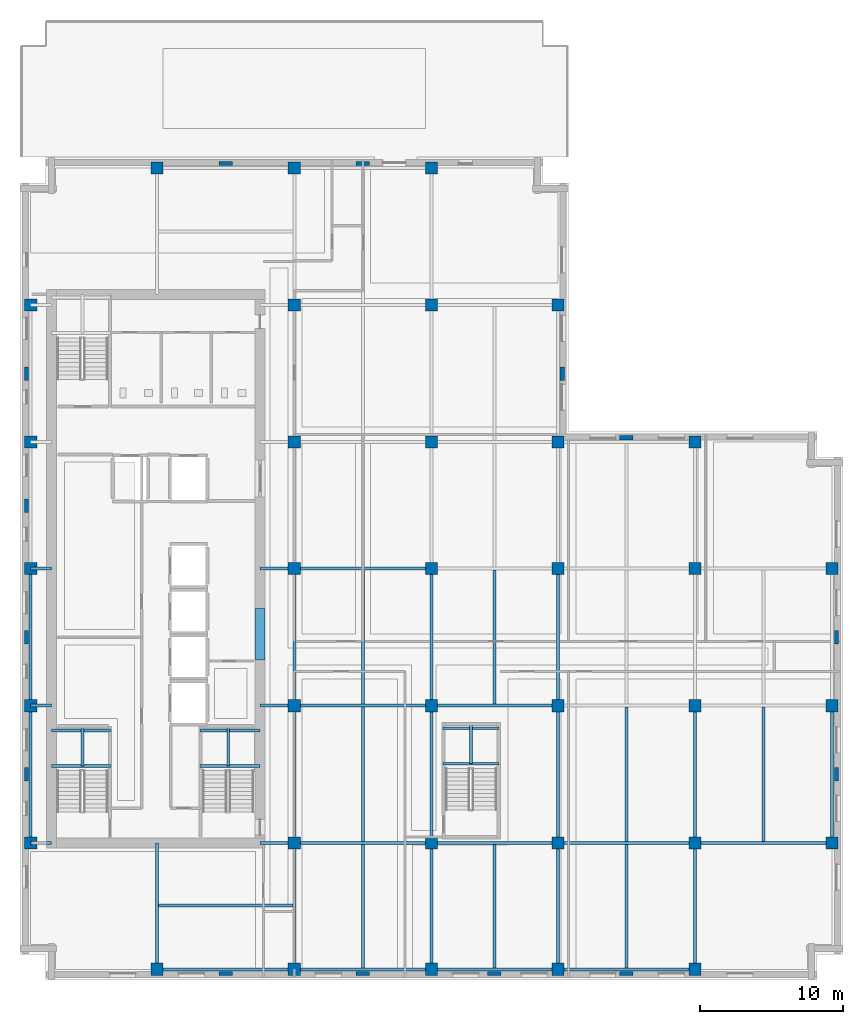
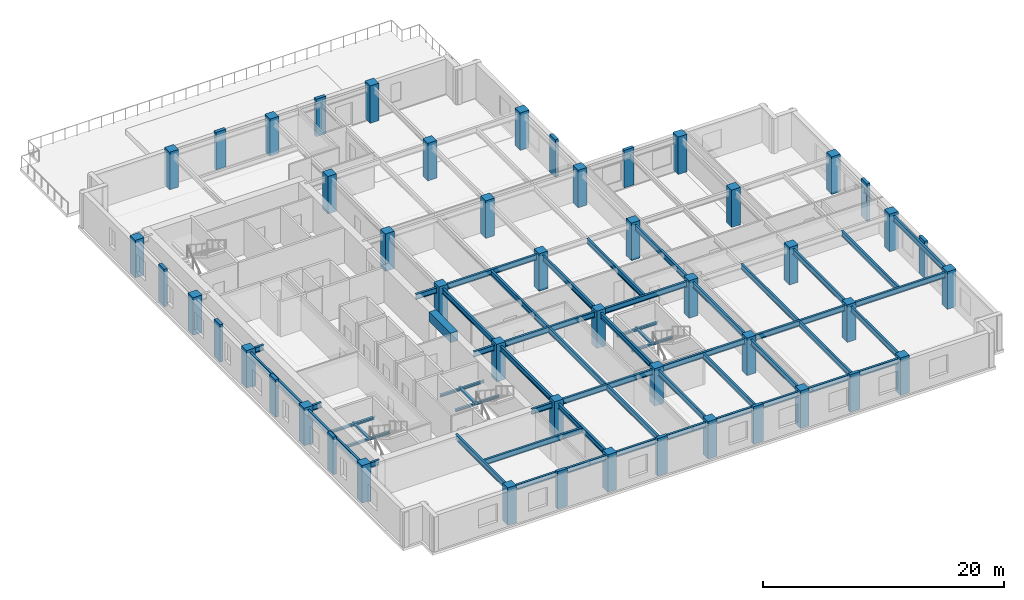
# One storey, part 1 of 12: 51 beams, 49 columns.
"""IFC4 building model written with IfcOpenShell, lengths in metres."""

from ifc_helpers import new_model, si_unit, direction, frame, origin, origin_2d, place, context, subcontext, project, spatial, rectangle, i_section, extrude, material, material_profile, profile_set, type_object, element, save


model = new_model("IFC4")

# Units and contexts
model_context = context("Model", 3, precision=1e-05, world=origin(), true_north=direction((0.0, 1.0)))
body_context = subcontext(model_context, "Body", "Model", "MODEL_VIEW")
ifc_project = project(units=[si_unit("LENGTHUNIT", "METRE"), si_unit("AREAUNIT", "SQUARE_METRE"), si_unit("VOLUMEUNIT", "CUBIC_METRE"), si_unit("PLANEANGLEUNIT", "RADIAN"), si_unit("MASSUNIT", "GRAM", prefix="KILO")], contexts=[model_context])

# Site, building, storey
site_placement = place(None, origin())
site = spatial("IfcSite", under=ifc_project, at=site_placement, CompositionType="ELEMENT")
building_placement = place(site_placement, origin())
building = spatial("IfcBuilding", under=site, at=building_placement, Name="Norrvale University Quadrangle", CompositionType="ELEMENT")
storey_placement = place(building_placement, frame((0.0, 0.0, 199.0)))
storey = spatial("IfcBuildingStorey", under=building, at=storey_placement, Name="L50", CompositionType="ELEMENT", Elevation=199.0)

# Columns
ifc_material_1 = material(Name="Red Manganese Brick Concrete C60/75", Category="concrete")
ifc_material_profile_1 = material_profile(ifc_material_1, rectangle(XDim=0.949951171875, YDim=0.300048828125, at=origin_2d()), Name="Red Manganese Brick Concrete C60/75")
ifc_profile_set_1 = profile_set([ifc_material_profile_1], Name="Red Manganese Brick Concrete C60/75")
column_type_1 = type_object("IfcColumnType", Name="Column Brick Pier 950x300", PredefinedType="PILASTER", material=ifc_profile_set_1)
for number, where, z_axis, x_axis, name in (
    (1, (0.449951171875, 14.39990234375, 0.0), (0.0, 0.0, 1.0), (0.0, 1.0, 0.0), "Exterior Brick Facade Pilaster L50-01"),
    (2, (0.449951171875, 24.0, 0.0), (0.0, 0.0, 1.0), (0.0, 1.0, 0.0), "Exterior Brick Facade Pilaster L50-02"),
    (3, (0.449951171875, 33.199951171875, 0.0), (0.0, 0.0, 1.0), (0.0, 1.0, 0.0), "Exterior Brick Facade Pilaster L50-03"),
    (4, (0.449951171875, 42.449951171875, 0.0), (0.0, 0.0, 1.0), (0.0, 1.0, 0.0), "Exterior Brick Facade Pilaster L50-04"),
    (5, (14.39990234375, 0.449951171875, 0.0), (0.0, 0.0, 1.0), (1.0, 0.0, 0.0), "Exterior Brick Facade Pilaster L50-05"),
    (6, (24.0, 0.449951171875, 0.0), (0.0, 0.0, 1.0), (1.0, 0.0, 0.0), "Exterior Brick Facade Pilaster L50-06"),
    (7, (33.199951171875, 0.449951171875, 0.0), (0.0, 0.0, 1.0), (1.0, 0.0, 0.0), "Exterior Brick Facade Pilaster L50-07"),
    (8, (42.449951171875, 0.449951171875, 0.0), (0.0, 0.0, 1.0), (1.0, 0.0, 0.0), "Exterior Brick Facade Pilaster L50-08"),
    (9, (57.14990234375, 14.39990234375, 0.0), (0.0, 0.0, 1.0), (0.0, 1.0, 0.0), "Exterior Brick Facade Pilaster L50-09"),
    (10, (57.14990234375, 24.0, 0.0), (0.0, 0.0, 1.0), (0.0, 1.0, 0.0), "Exterior Brick Facade Pilaster L50-10"),
    (11, (14.39990234375, 57.14990234375, 0.0), (0.0, 0.0, 1.0), (1.0, 0.0, 0.0), "Exterior Brick Facade Pilaster L50-11"),
    (12, (24.0, 57.14990234375, 0.0), (0.0, 0.0, 1.0), (1.0, 0.0, 0.0), "Exterior Brick Facade Pilaster L50-12"),
    (13, (37.949951171875, 42.449951171875, 0.0), (0.0, 0.0, 1.0), (0.0, 1.0, 0.0), "Exterior Brick Facade Pilaster L50-13"),
    (14, (42.449951171875, 37.949951171875, 0.0), (0.0, 0.0, 1.0), (1.0, 0.0, 0.0), "Exterior Brick Facade Pilaster L50-14"),
):
    element("IfcColumn", number, at=place(storey_placement, frame(where, z_axis=z_axis, x_axis=x_axis)), inside=storey, type_object=column_type_1, Name=name, PredefinedType="PILASTER", context=body_context, shape_type="SweptSolid", body=[
        extrude(rectangle(XDim=0.949951171875, YDim=0.300048828125, at=origin_2d()), origin(), (0.0, 0.0, 1.0), 3.800048828125),
    ])
ifc_material_2 = material(Name="Concrete C60/75", Category="concrete")
ifc_material_profile_2 = material_profile(ifc_material_2, rectangle(XDim=0.85009765625, YDim=0.85009765625, at=origin_2d()), Name="Concrete C60/75")
ifc_profile_set_2 = profile_set([ifc_material_profile_2], Name="Concrete C60/75")
column_type_2 = type_object("IfcColumnType", Name="Column Tower Z3 850x850", PredefinedType="COLUMN", material=ifc_profile_set_2)
for number, where, z_axis, x_axis, name in (
    (15, (0.75, 9.60009765625, 0.0), (0.0, 0.0, 1.0), (1.0, 0.0, 0.0), "Tower Column L50-T01"),
    (16, (0.75, 19.199951171875, 0.0), (0.0, 0.0, 1.0), (1.0, 0.0, 0.0), "Tower Column L50-T02"),
    (17, (0.75, 28.800048828125, 0.0), (0.0, 0.0, 1.0), (1.0, 0.0, 0.0), "Tower Column L50-T03"),
    (18, (0.75, 37.64990234375, 0.0), (0.0, 0.0, 1.0), (1.0, 0.0, 0.0), "Tower Column L50-T04"),
    (19, (0.75, 47.25, 0.0), (0.0, 0.0, 1.0), (1.0, 0.0, 0.0), "Tower Column L50-T05"),
    (20, (9.60009765625, 0.75, 0.0), (0.0, 0.0, 1.0), (1.0, 0.0, 0.0), "Tower Column L50-T06"),
    (21, (9.60009765625, 56.85009765625, 0.0), (0.0, 0.0, 1.0), (1.0, 0.0, 0.0), "Tower Column L50-T07"),
    (22, (19.199951171875, 0.75, 0.0), (0.0, 0.0, 1.0), (1.0, 0.0, 0.0), "Tower Column L50-T08"),
    (23, (19.199951171875, 9.60009765625, 0.0), (0.0, 0.0, 1.0), (1.0, 0.0, 0.0), "Tower Column L50-T09"),
    (24, (19.199951171875, 19.199951171875, 0.0), (0.0, 0.0, 1.0), (1.0, 0.0, 0.0), "Tower Column L50-T10"),
    (25, (19.199951171875, 28.800048828125, 0.0), (0.0, 0.0, 1.0), (1.0, 0.0, 0.0), "Tower Column L50-T11"),
    (26, (19.199951171875, 37.64990234375, 0.0), (0.0, 0.0, 1.0), (1.0, 0.0, 0.0), "Tower Column L50-T12"),
    (27, (19.199951171875, 47.25, 0.0), (0.0, 0.0, 1.0), (1.0, 0.0, 0.0), "Tower Column L50-T13"),
    (28, (19.199951171875, 56.85009765625, 0.0), (0.0, 0.0, 1.0), (1.0, 0.0, 0.0), "Tower Column L50-T14"),
    (29, (28.800048828125, 0.75, 0.0), (0.0, 0.0, 1.0), (1.0, 0.0, 0.0), "Tower Column L50-T15"),
    (30, (28.800048828125, 9.60009765625, 0.0), (0.0, 0.0, 1.0), (1.0, 0.0, 0.0), "Tower Column L50-T16"),
    (31, (28.800048828125, 19.199951171875, 0.0), (0.0, 0.0, 1.0), (1.0, 0.0, 0.0), "Tower Column L50-T17"),
    (32, (28.800048828125, 28.800048828125, 0.0), (0.0, 0.0, 1.0), (1.0, 0.0, 0.0), "Tower Column L50-T18"),
    (33, (28.800048828125, 37.64990234375, 0.0), (0.0, 0.0, 1.0), (1.0, 0.0, 0.0), "Tower Column L50-T19"),
    (34, (28.800048828125, 47.25, 0.0), (0.0, 0.0, 1.0), (1.0, 0.0, 0.0), "Tower Column L50-T20"),
    (35, (28.800048828125, 56.85009765625, 0.0), (0.0, 0.0, 1.0), (1.0, 0.0, 0.0), "Tower Column L50-T21"),
    (36, (37.64990234375, 0.75, 0.0), (0.0, 0.0, 1.0), (1.0, 0.0, 0.0), "Tower Column L50-T22"),
    (37, (37.64990234375, 9.60009765625, 0.0), (0.0, 0.0, 1.0), (1.0, 0.0, 0.0), "Tower Column L50-T23"),
    (38, (37.64990234375, 19.199951171875, 0.0), (0.0, 0.0, 1.0), (1.0, 0.0, 0.0), "Tower Column L50-T24"),
    (39, (37.64990234375, 28.800048828125, 0.0), (0.0, 0.0, 1.0), (1.0, 0.0, 0.0), "Tower Column L50-T25"),
    (40, (37.64990234375, 37.64990234375, 0.0), (0.0, 0.0, 1.0), (1.0, 0.0, 0.0), "Tower Column L50-T26"),
    (41, (37.64990234375, 47.25, 0.0), (0.0, 0.0, 1.0), (1.0, 0.0, 0.0), "Tower Column L50-T27"),
    (42, (47.25, 0.75, 0.0), (0.0, 0.0, 1.0), (1.0, 0.0, 0.0), "Tower Column L50-T28"),
    (43, (47.25, 9.60009765625, 0.0), (0.0, 0.0, 1.0), (1.0, 0.0, 0.0), "Tower Column L50-T29"),
    (44, (47.25, 19.199951171875, 0.0), (0.0, 0.0, 1.0), (1.0, 0.0, 0.0), "Tower Column L50-T30"),
    (45, (47.25, 28.800048828125, 0.0), (0.0, 0.0, 1.0), (1.0, 0.0, 0.0), "Tower Column L50-T31"),
    (46, (47.25, 37.64990234375, 0.0), (0.0, 0.0, 1.0), (1.0, 0.0, 0.0), "Tower Column L50-T32"),
    (47, (56.85009765625, 9.60009765625, 0.0), (0.0, 0.0, 1.0), (1.0, 0.0, 0.0), "Tower Column L50-T33"),
    (48, (56.85009765625, 19.199951171875, 0.0), (0.0, 0.0, 1.0), (1.0, 0.0, 0.0), "Tower Column L50-T34"),
    (49, (56.85009765625, 28.800048828125, 0.0), (0.0, 0.0, 1.0), (1.0, 0.0, 0.0), "Tower Column L50-T35"),
):
    element("IfcColumn", number, at=place(storey_placement, frame(where, z_axis=z_axis, x_axis=x_axis)), inside=storey, type_object=column_type_2, Name=name, PredefinedType="COLUMN", context=body_context, shape_type="SweptSolid", body=[
        extrude(rectangle(XDim=0.85009765625, YDim=0.85009765625, at=origin_2d()), origin(), (0.0, 0.0, 1.0), 3.800048828125),
    ])

# Beams
ifc_material_3 = material(Name="Concrete C80/95", Category="concrete")
ifc_material_profile_3 = material_profile(ifc_material_3, rectangle(XDim=0.699951171875, YDim=0.949951171875, at=origin_2d()), Name="Concrete C80/95")
ifc_profile_set_3 = profile_set([ifc_material_profile_3], Name="Concrete C80/95")
beam_type_1 = type_object("IfcBeamType", Name="Beam Core Link 700x950", PredefinedType="LINTEL", material=ifc_profile_set_3)
beam_1_placement = place(storey_placement, frame((16.800048828125, 22.39990234375, 3.06494140625), z_axis=(0.0, 1.0, 0.0), x_axis=(-1.0, 0.0, 0.0)))
element("IfcBeam", 50, at=beam_1_placement, inside=storey, type_object=beam_type_1, Name="Core Coupling Lintel Beam L50-1", PredefinedType="LINTEL", context=body_context, shape_type="SweptSolid", body=[
    extrude(rectangle(XDim=0.699951171875, YDim=0.949951171875, at=origin_2d()), origin(), (0.0, 0.0, 1.0), 3.60009765625),
])
ifc_material_4 = material(Name="Steel 350W", Category="steel")
ifc_material_profile_4 = material_profile(ifc_material_4, i_section(OverallWidth=0.2119140625, OverallDepth=0.5439453125, WebThickness=0.01318359375, FlangeThickness=0.021240234375, FilletRadius=0.013916015625, at=origin_2d()), Name="Steel 350W")
ifc_profile_set_4 = profile_set([ifc_material_profile_4], Name="Steel 350W")
beam_type_2 = type_object("IfcBeamType", Name="Beam Floor W530x123", PredefinedType="BEAM", material=ifc_profile_set_4)
beam_2_placement = place(storey_placement, frame((9.60009765625, 0.75, 3.26806640625), z_axis=(1.0, 0.0, 0.0), x_axis=(0.0, 1.0, 0.0)))
element("IfcBeam", 51, at=beam_2_placement, inside=storey, type_object=beam_type_2, Name="Beam Floor W530x123 BM-L50-GX001", PredefinedType="BEAM", context=body_context, shape_type="SweptSolid", body=[
    extrude(i_section(OverallWidth=0.2119140625, OverallDepth=0.5439453125, WebThickness=0.01318359375, FlangeThickness=0.021240234375, FilletRadius=0.013916015625, at=origin_2d()), origin(), (0.0, 0.0, 1.0), 9.599853515625),
])
beam_3_placement = place(storey_placement, frame((19.199951171875, 0.75, 3.26806640625), z_axis=(1.0, 0.0, 0.0), x_axis=(0.0, 1.0, 0.0)))
element("IfcBeam", 52, at=beam_3_placement, inside=storey, type_object=beam_type_2, Name="Beam Floor W530x123 BM-L50-GX002", PredefinedType="BEAM", context=body_context, shape_type="SweptSolid", body=[
    extrude(i_section(OverallWidth=0.2119140625, OverallDepth=0.5439453125, WebThickness=0.01318359375, FlangeThickness=0.021240234375, FilletRadius=0.013916015625, at=origin_2d()), origin(), (0.0, 0.0, 1.0), 9.60009765625),
])
beam_4_placement = place(storey_placement, frame((28.800048828125, 0.75, 3.26806640625), z_axis=(1.0, 0.0, 0.0), x_axis=(0.0, 1.0, 0.0)))
element("IfcBeam", 53, at=beam_4_placement, inside=storey, type_object=beam_type_2, Name="Beam Floor W530x123 BM-L50-GX003", PredefinedType="BEAM", context=body_context, shape_type="SweptSolid", body=[
    extrude(i_section(OverallWidth=0.2119140625, OverallDepth=0.5439453125, WebThickness=0.01318359375, FlangeThickness=0.021240234375, FilletRadius=0.013916015625, at=origin_2d()), origin(), (0.0, 0.0, 1.0), 8.849853515625),
])
for number, where, z_axis, x_axis, name in (
    (54, (37.64990234375, 0.75, 3.26806640625), (1.0, 0.0, 0.0), (0.0, 1.0, 0.0), "Beam Floor W530x123 BM-L50-GX004"),
    (55, (19.199951171875, 9.60009765625, 3.26806640625), (1.0, 0.0, 0.0), (0.0, 1.0, 0.0), "Beam Floor W530x123 BM-L50-GX005"),
):
    element("IfcBeam", number, at=place(storey_placement, frame(where, z_axis=z_axis, x_axis=x_axis)), inside=storey, type_object=beam_type_2, Name=name, PredefinedType="BEAM", context=body_context, shape_type="SweptSolid", body=[
        extrude(i_section(OverallWidth=0.2119140625, OverallDepth=0.5439453125, WebThickness=0.01318359375, FlangeThickness=0.021240234375, FilletRadius=0.013916015625, at=origin_2d()), origin(), (0.0, 0.0, 1.0), 9.60009765625),
    ])
beam_5_placement = place(storey_placement, frame((28.800048828125, 9.60009765625, 3.26806640625), z_axis=(1.0, 0.0, 0.0), x_axis=(0.0, 1.0, 0.0)))
element("IfcBeam", 56, at=beam_5_placement, inside=storey, type_object=beam_type_2, Name="Beam Floor W530x123 BM-L50-GX006", PredefinedType="BEAM", context=body_context, shape_type="SweptSolid", body=[
    extrude(i_section(OverallWidth=0.2119140625, OverallDepth=0.5439453125, WebThickness=0.01318359375, FlangeThickness=0.021240234375, FilletRadius=0.013916015625, at=origin_2d()), origin(), (0.0, 0.0, 1.0), 8.849853515625),
])
for number, where, z_axis, x_axis, name in (
    (57, (37.64990234375, 9.60009765625, 3.26806640625), (1.0, 0.0, 0.0), (0.0, 1.0, 0.0), "Beam Floor W530x123 BM-L50-GX007"),
    (58, (47.25, 9.60009765625, 3.26806640625), (1.0, 0.0, 0.0), (0.0, 1.0, 0.0), "Beam Floor W530x123 BM-L50-GX008"),
    (59, (19.199951171875, 19.199951171875, 3.26806640625), (1.0, 0.0, 0.0), (0.0, 1.0, 0.0), "Beam Floor W530x123 BM-L50-GX009"),
):
    element("IfcBeam", number, at=place(storey_placement, frame(where, z_axis=z_axis, x_axis=x_axis)), inside=storey, type_object=beam_type_2, Name=name, PredefinedType="BEAM", context=body_context, shape_type="SweptSolid", body=[
        extrude(i_section(OverallWidth=0.2119140625, OverallDepth=0.5439453125, WebThickness=0.01318359375, FlangeThickness=0.021240234375, FilletRadius=0.013916015625, at=origin_2d()), origin(), (0.0, 0.0, 1.0), 9.60009765625),
    ])
beam_6_placement = place(storey_placement, frame((28.800048828125, 19.199951171875, 3.26806640625), z_axis=(1.0, 0.0, 0.0), x_axis=(0.0, 1.0, 0.0)))
element("IfcBeam", 60, at=beam_6_placement, inside=storey, type_object=beam_type_2, Name="Beam Floor W530x123 BM-L50-GX010", PredefinedType="BEAM", context=body_context, shape_type="SweptSolid", body=[
    extrude(i_section(OverallWidth=0.2119140625, OverallDepth=0.5439453125, WebThickness=0.01318359375, FlangeThickness=0.021240234375, FilletRadius=0.013916015625, at=origin_2d()), origin(), (0.0, 0.0, 1.0), 8.849853515625),
])
beam_7_placement = place(storey_placement, frame((19.199951171875, 28.800048828125, 3.26806640625), z_axis=(1.0, 0.0, 0.0), x_axis=(0.0, 1.0, 0.0)))
element("IfcBeam", 61, at=beam_7_placement, inside=storey, type_object=beam_type_2, Name="Beam Floor W530x123 BM-L50-GX013", PredefinedType="BEAM", context=body_context, shape_type="SweptSolid", body=[
    extrude(i_section(OverallWidth=0.2119140625, OverallDepth=0.5439453125, WebThickness=0.01318359375, FlangeThickness=0.021240234375, FilletRadius=0.013916015625, at=origin_2d()), origin(), (0.0, 0.0, 1.0), 9.60009765625),
])
beam_8_placement = place(storey_placement, frame((0.75, 9.60009765625, 3.26806640625), z_axis=(0.0, 1.0, 0.0), x_axis=(-1.0, 0.0, 0.0)))
element("IfcBeam", 62, at=beam_8_placement, inside=storey, type_object=beam_type_2, Name="Beam Floor W530x123 BM-L50-GY024", PredefinedType="BEAM", context=body_context, shape_type="SweptSolid", body=[
    extrude(i_section(OverallWidth=0.2119140625, OverallDepth=0.5439453125, WebThickness=0.01318359375, FlangeThickness=0.021240234375, FilletRadius=0.013916015625, at=origin_2d()), origin(), (0.0, 0.0, 1.0), 9.599853515625),
])
beam_9_placement = place(storey_placement, frame((0.75, 19.199951171875, 3.26806640625), z_axis=(0.0, 1.0, 0.0), x_axis=(-1.0, 0.0, 0.0)))
element("IfcBeam", 63, at=beam_9_placement, inside=storey, type_object=beam_type_2, Name="Beam Floor W530x123 BM-L50-GY025", PredefinedType="BEAM", context=body_context, shape_type="SweptSolid", body=[
    extrude(i_section(OverallWidth=0.2119140625, OverallDepth=0.5439453125, WebThickness=0.01318359375, FlangeThickness=0.021240234375, FilletRadius=0.013916015625, at=origin_2d()), origin(), (0.0, 0.0, 1.0), 9.60009765625),
])
beam_10_placement = place(storey_placement, frame((19.199951171875, 0.75, 3.26806640625), z_axis=(0.0, 1.0, 0.0), x_axis=(-1.0, 0.0, 0.0)))
element("IfcBeam", 64, at=beam_10_placement, inside=storey, type_object=beam_type_2, Name="Beam Floor W530x123 BM-L50-GY028", PredefinedType="BEAM", context=body_context, shape_type="SweptSolid", body=[
    extrude(i_section(OverallWidth=0.2119140625, OverallDepth=0.5439453125, WebThickness=0.01318359375, FlangeThickness=0.021240234375, FilletRadius=0.013916015625, at=origin_2d()), origin(), (0.0, 0.0, 1.0), 8.85009765625),
])
beam_11_placement = place(storey_placement, frame((19.199951171875, 9.60009765625, 3.26806640625), z_axis=(0.0, 1.0, 0.0), x_axis=(-1.0, 0.0, 0.0)))
element("IfcBeam", 65, at=beam_11_placement, inside=storey, type_object=beam_type_2, Name="Beam Floor W530x123 BM-L50-GY029", PredefinedType="BEAM", context=body_context, shape_type="SweptSolid", body=[
    extrude(i_section(OverallWidth=0.2119140625, OverallDepth=0.5439453125, WebThickness=0.01318359375, FlangeThickness=0.021240234375, FilletRadius=0.013916015625, at=origin_2d()), origin(), (0.0, 0.0, 1.0), 9.599853515625),
])
beam_12_placement = place(storey_placement, frame((19.199951171875, 19.199951171875, 3.26806640625), z_axis=(0.0, 1.0, 0.0), x_axis=(-1.0, 0.0, 0.0)))
element("IfcBeam", 66, at=beam_12_placement, inside=storey, type_object=beam_type_2, Name="Beam Floor W530x123 BM-L50-GY030", PredefinedType="BEAM", context=body_context, shape_type="SweptSolid", body=[
    extrude(i_section(OverallWidth=0.2119140625, OverallDepth=0.5439453125, WebThickness=0.01318359375, FlangeThickness=0.021240234375, FilletRadius=0.013916015625, at=origin_2d()), origin(), (0.0, 0.0, 1.0), 9.60009765625),
])
beam_13_placement = place(storey_placement, frame((28.800048828125, 0.75, 3.26806640625), z_axis=(0.0, 1.0, 0.0), x_axis=(-1.0, 0.0, 0.0)))
element("IfcBeam", 67, at=beam_13_placement, inside=storey, type_object=beam_type_2, Name="Beam Floor W530x123 BM-L50-GY034", PredefinedType="BEAM", context=body_context, shape_type="SweptSolid", body=[
    extrude(i_section(OverallWidth=0.2119140625, OverallDepth=0.5439453125, WebThickness=0.01318359375, FlangeThickness=0.021240234375, FilletRadius=0.013916015625, at=origin_2d()), origin(), (0.0, 0.0, 1.0), 8.85009765625),
])
beam_14_placement = place(storey_placement, frame((28.800048828125, 9.60009765625, 3.26806640625), z_axis=(0.0, 1.0, 0.0), x_axis=(-1.0, 0.0, 0.0)))
element("IfcBeam", 68, at=beam_14_placement, inside=storey, type_object=beam_type_2, Name="Beam Floor W530x123 BM-L50-GY035", PredefinedType="BEAM", context=body_context, shape_type="SweptSolid", body=[
    extrude(i_section(OverallWidth=0.2119140625, OverallDepth=0.5439453125, WebThickness=0.01318359375, FlangeThickness=0.021240234375, FilletRadius=0.013916015625, at=origin_2d()), origin(), (0.0, 0.0, 1.0), 9.599853515625),
])
beam_15_placement = place(storey_placement, frame((28.800048828125, 19.199951171875, 3.26806640625), z_axis=(0.0, 1.0, 0.0), x_axis=(-1.0, 0.0, 0.0)))
element("IfcBeam", 69, at=beam_15_placement, inside=storey, type_object=beam_type_2, Name="Beam Floor W530x123 BM-L50-GY036", PredefinedType="BEAM", context=body_context, shape_type="SweptSolid", body=[
    extrude(i_section(OverallWidth=0.2119140625, OverallDepth=0.5439453125, WebThickness=0.01318359375, FlangeThickness=0.021240234375, FilletRadius=0.013916015625, at=origin_2d()), origin(), (0.0, 0.0, 1.0), 9.60009765625),
])
beam_16_placement = place(storey_placement, frame((37.64990234375, 0.75, 3.26806640625), z_axis=(0.0, 1.0, 0.0), x_axis=(-1.0, 0.0, 0.0)))
element("IfcBeam", 70, at=beam_16_placement, inside=storey, type_object=beam_type_2, Name="Beam Floor W530x123 BM-L50-GY040", PredefinedType="BEAM", context=body_context, shape_type="SweptSolid", body=[
    extrude(i_section(OverallWidth=0.2119140625, OverallDepth=0.5439453125, WebThickness=0.01318359375, FlangeThickness=0.021240234375, FilletRadius=0.013916015625, at=origin_2d()), origin(), (0.0, 0.0, 1.0), 8.85009765625),
])
beam_17_placement = place(storey_placement, frame((37.64990234375, 9.60009765625, 3.26806640625), z_axis=(0.0, 1.0, 0.0), x_axis=(-1.0, 0.0, 0.0)))
element("IfcBeam", 71, at=beam_17_placement, inside=storey, type_object=beam_type_2, Name="Beam Floor W530x123 BM-L50-GY041", PredefinedType="BEAM", context=body_context, shape_type="SweptSolid", body=[
    extrude(i_section(OverallWidth=0.2119140625, OverallDepth=0.5439453125, WebThickness=0.01318359375, FlangeThickness=0.021240234375, FilletRadius=0.013916015625, at=origin_2d()), origin(), (0.0, 0.0, 1.0), 9.599853515625),
])
beam_18_placement = place(storey_placement, frame((37.64990234375, 19.199951171875, 3.26806640625), z_axis=(0.0, 1.0, 0.0), x_axis=(-1.0, 0.0, 0.0)))
element("IfcBeam", 72, at=beam_18_placement, inside=storey, type_object=beam_type_2, Name="Beam Floor W530x123 BM-L50-GY042", PredefinedType="BEAM", context=body_context, shape_type="SweptSolid", body=[
    extrude(i_section(OverallWidth=0.2119140625, OverallDepth=0.5439453125, WebThickness=0.01318359375, FlangeThickness=0.021240234375, FilletRadius=0.013916015625, at=origin_2d()), origin(), (0.0, 0.0, 1.0), 9.60009765625),
])
beam_19_placement = place(storey_placement, frame((47.25, 0.75, 3.26806640625), z_axis=(0.0, 1.0, 0.0), x_axis=(-1.0, 0.0, 0.0)))
element("IfcBeam", 73, at=beam_19_placement, inside=storey, type_object=beam_type_2, Name="Beam Floor W530x123 BM-L50-GY045", PredefinedType="BEAM", context=body_context, shape_type="SweptSolid", body=[
    extrude(i_section(OverallWidth=0.2119140625, OverallDepth=0.5439453125, WebThickness=0.01318359375, FlangeThickness=0.021240234375, FilletRadius=0.013916015625, at=origin_2d()), origin(), (0.0, 0.0, 1.0), 8.85009765625),
])
for number, where, z_axis, x_axis, name in (
    (74, (47.25, 9.60009765625, 3.26806640625), (0.0, 1.0, 0.0), (-1.0, 0.0, 0.0), "Beam Floor W530x123 BM-L50-GY046"),
    (75, (56.85009765625, 9.60009765625, 3.26806640625), (0.0, 1.0, 0.0), (-1.0, 0.0, 0.0), "Beam Floor W530x123 BM-L50-GY049"),
):
    element("IfcBeam", number, at=place(storey_placement, frame(where, z_axis=z_axis, x_axis=x_axis)), inside=storey, type_object=beam_type_2, Name=name, PredefinedType="BEAM", context=body_context, shape_type="SweptSolid", body=[
        extrude(i_section(OverallWidth=0.2119140625, OverallDepth=0.5439453125, WebThickness=0.01318359375, FlangeThickness=0.021240234375, FilletRadius=0.013916015625, at=origin_2d()), origin(), (0.0, 0.0, 1.0), 9.599853515625),
    ])
beam_20_placement = place(storey_placement, frame((0.75, 9.60009765625, 3.26806640625), z_axis=(1.0, 0.0, 0.0), x_axis=(0.0, 1.0, 0.0)))
element("IfcBeam", 76, at=beam_20_placement, inside=storey, type_object=beam_type_2, Name="Beam Floor W530x123 BM-L50-GCW051", PredefinedType="BEAM", context=body_context, shape_type="SweptSolid", body=[
    extrude(i_section(OverallWidth=0.2119140625, OverallDepth=0.5439453125, WebThickness=0.01318359375, FlangeThickness=0.021240234375, FilletRadius=0.013916015625, at=origin_2d()), origin(), (0.0, 0.0, 1.0), 1.449951171875),
])
beam_21_placement = place(storey_placement, frame((16.800048828125, 9.60009765625, 3.26806640625), z_axis=(1.0, 0.0, 0.0), x_axis=(0.0, 1.0, 0.0)))
element("IfcBeam", 77, at=beam_21_placement, inside=storey, type_object=beam_type_2, Name="Beam Floor W530x123 BM-L50-GCE052", PredefinedType="BEAM", context=body_context, shape_type="SweptSolid", body=[
    extrude(i_section(OverallWidth=0.2119140625, OverallDepth=0.5439453125, WebThickness=0.01318359375, FlangeThickness=0.021240234375, FilletRadius=0.013916015625, at=origin_2d()), origin(), (0.0, 0.0, 1.0), 2.39990234375),
])
beam_22_placement = place(storey_placement, frame((0.75, 19.199951171875, 3.26806640625), z_axis=(1.0, 0.0, 0.0), x_axis=(0.0, 1.0, 0.0)))
element("IfcBeam", 78, at=beam_22_placement, inside=storey, type_object=beam_type_2, Name="Beam Floor W530x123 BM-L50-GCW053", PredefinedType="BEAM", context=body_context, shape_type="SweptSolid", body=[
    extrude(i_section(OverallWidth=0.2119140625, OverallDepth=0.5439453125, WebThickness=0.01318359375, FlangeThickness=0.021240234375, FilletRadius=0.013916015625, at=origin_2d()), origin(), (0.0, 0.0, 1.0), 1.449951171875),
])
beam_23_placement = place(storey_placement, frame((16.800048828125, 19.199951171875, 3.26806640625), z_axis=(1.0, 0.0, 0.0), x_axis=(0.0, 1.0, 0.0)))
element("IfcBeam", 79, at=beam_23_placement, inside=storey, type_object=beam_type_2, Name="Beam Floor W530x123 BM-L50-GCE054", PredefinedType="BEAM", context=body_context, shape_type="SweptSolid", body=[
    extrude(i_section(OverallWidth=0.2119140625, OverallDepth=0.5439453125, WebThickness=0.01318359375, FlangeThickness=0.021240234375, FilletRadius=0.013916015625, at=origin_2d()), origin(), (0.0, 0.0, 1.0), 2.39990234375),
])
beam_24_placement = place(storey_placement, frame((0.75, 28.800048828125, 3.26806640625), z_axis=(1.0, 0.0, 0.0), x_axis=(0.0, 1.0, 0.0)))
element("IfcBeam", 80, at=beam_24_placement, inside=storey, type_object=beam_type_2, Name="Beam Floor W530x123 BM-L50-GCW055", PredefinedType="BEAM", context=body_context, shape_type="SweptSolid", body=[
    extrude(i_section(OverallWidth=0.2119140625, OverallDepth=0.5439453125, WebThickness=0.01318359375, FlangeThickness=0.021240234375, FilletRadius=0.013916015625, at=origin_2d()), origin(), (0.0, 0.0, 1.0), 1.449951171875),
])
beam_25_placement = place(storey_placement, frame((16.800048828125, 28.800048828125, 3.26806640625), z_axis=(1.0, 0.0, 0.0), x_axis=(0.0, 1.0, 0.0)))
element("IfcBeam", 81, at=beam_25_placement, inside=storey, type_object=beam_type_2, Name="Beam Floor W530x123 BM-L50-GCE056", PredefinedType="BEAM", context=body_context, shape_type="SweptSolid", body=[
    extrude(i_section(OverallWidth=0.2119140625, OverallDepth=0.5439453125, WebThickness=0.01318359375, FlangeThickness=0.021240234375, FilletRadius=0.013916015625, at=origin_2d()), origin(), (0.0, 0.0, 1.0), 2.39990234375),
])
beam_26_placement = place(storey_placement, frame((9.60009765625, 0.75, 3.26806640625), z_axis=(0.0, 1.0, 0.0), x_axis=(-1.0, 0.0, 0.0)))
element("IfcBeam", 82, at=beam_26_placement, inside=storey, type_object=beam_type_2, Name="Beam Floor W530x123 BM-L50-GCS077", PredefinedType="BEAM", context=body_context, shape_type="SweptSolid", body=[
    extrude(i_section(OverallWidth=0.2119140625, OverallDepth=0.5439453125, WebThickness=0.01318359375, FlangeThickness=0.021240234375, FilletRadius=0.013916015625, at=origin_2d()), origin(), (0.0, 0.0, 1.0), 8.85009765625),
])
ifc_material_profile_5 = material_profile(ifc_material_4, i_section(OverallWidth=0.208984375, OverallDepth=0.532958984375, WebThickness=0.01025390625, FlangeThickness=0.015625, FilletRadius=0.013916015625, at=origin_2d()), Name="Steel 350W")
ifc_profile_set_5 = profile_set([ifc_material_profile_5], Name="Steel 350W")
beam_type_3 = type_object("IfcBeamType", Name="Beam Floor W530x92", PredefinedType="JOIST", material=ifc_profile_set_5)
beam_27_placement = place(storey_placement, frame((24.0, 0.85595703125, 3.2734375), z_axis=(0.0, 1.0, 0.0), x_axis=(-1.0, 0.0, 0.0)))
element("IfcBeam", 83, at=beam_27_placement, inside=storey, type_object=beam_type_3, Name="Beam Floor W530x92 BM-L50-J061", PredefinedType="JOIST", context=body_context, shape_type="SweptSolid", body=[
    extrude(i_section(OverallWidth=0.208984375, OverallDepth=0.532958984375, WebThickness=0.01025390625, FlangeThickness=0.015625, FilletRadius=0.013916015625, at=origin_2d()), origin(), (0.0, 0.0, 1.0), 8.637939453125),
])
beam_28_placement = place(storey_placement, frame((24.0, 9.7060546875, 3.2734375), z_axis=(0.0, 1.0, 0.0), x_axis=(-1.0, 0.0, 0.0)))
element("IfcBeam", 84, at=beam_28_placement, inside=storey, type_object=beam_type_3, Name="Beam Floor W530x92 BM-L50-J062", PredefinedType="JOIST", context=body_context, shape_type="SweptSolid", body=[
    extrude(i_section(OverallWidth=0.208984375, OverallDepth=0.532958984375, WebThickness=0.01025390625, FlangeThickness=0.015625, FilletRadius=0.013916015625, at=origin_2d()), origin(), (0.0, 0.0, 1.0), 9.387939453125),
])
beam_29_placement = place(storey_placement, frame((24.0, 19.305908203125, 3.2734375), z_axis=(0.0, 1.0, 0.0), x_axis=(-1.0, 0.0, 0.0)))
element("IfcBeam", 85, at=beam_29_placement, inside=storey, type_object=beam_type_3, Name="Beam Floor W530x92 BM-L50-J063", PredefinedType="JOIST", context=body_context, shape_type="SweptSolid", body=[
    extrude(i_section(OverallWidth=0.208984375, OverallDepth=0.532958984375, WebThickness=0.01025390625, FlangeThickness=0.015625, FilletRadius=0.013916015625, at=origin_2d()), origin(), (0.0, 0.0, 1.0), 9.38818359375),
])
beam_30_placement = place(storey_placement, frame((33.22509765625, 0.85595703125, 3.2734375), z_axis=(0.0, 1.0, 0.0), x_axis=(-1.0, 0.0, 0.0)))
element("IfcBeam", 86, at=beam_30_placement, inside=storey, type_object=beam_type_3, Name="Beam Floor W530x92 BM-L50-J067", PredefinedType="JOIST", context=body_context, shape_type="SweptSolid", body=[
    extrude(i_section(OverallWidth=0.208984375, OverallDepth=0.532958984375, WebThickness=0.01025390625, FlangeThickness=0.015625, FilletRadius=0.013916015625, at=origin_2d()), origin(), (0.0, 0.0, 1.0), 8.637939453125),
])
beam_31_placement = place(storey_placement, frame((33.22509765625, 19.305908203125, 3.2734375), z_axis=(0.0, 1.0, 0.0), x_axis=(-1.0, 0.0, 0.0)))
element("IfcBeam", 87, at=beam_31_placement, inside=storey, type_object=beam_type_3, Name="Beam Floor W530x92 BM-L50-J068", PredefinedType="JOIST", context=body_context, shape_type="SweptSolid", body=[
    extrude(i_section(OverallWidth=0.208984375, OverallDepth=0.532958984375, WebThickness=0.01025390625, FlangeThickness=0.015625, FilletRadius=0.013916015625, at=origin_2d()), origin(), (0.0, 0.0, 1.0), 9.38818359375),
])
beam_32_placement = place(storey_placement, frame((42.449951171875, 0.85595703125, 3.2734375), z_axis=(0.0, 1.0, 0.0), x_axis=(-1.0, 0.0, 0.0)))
element("IfcBeam", 88, at=beam_32_placement, inside=storey, type_object=beam_type_3, Name="Beam Floor W530x92 BM-L50-J071", PredefinedType="JOIST", context=body_context, shape_type="SweptSolid", body=[
    extrude(i_section(OverallWidth=0.208984375, OverallDepth=0.532958984375, WebThickness=0.01025390625, FlangeThickness=0.015625, FilletRadius=0.013916015625, at=origin_2d()), origin(), (0.0, 0.0, 1.0), 8.637939453125),
])
for number, where, z_axis, x_axis, name in (
    (89, (42.449951171875, 9.7060546875, 3.2734375), (0.0, 1.0, 0.0), (-1.0, 0.0, 0.0), "Beam Floor W530x92 BM-L50-J072"),
    (90, (52.050048828125, 9.7060546875, 3.2734375), (0.0, 1.0, 0.0), (-1.0, 0.0, 0.0), "Beam Floor W530x92 BM-L50-J075"),
    (91, (9.7060546875, 5.199951171875, 3.2734375), (1.0, 0.0, 0.0), (0.0, 1.0, 0.0), "Beam Floor W530x92 BM-L50-JCS078"),
):
    element("IfcBeam", number, at=place(storey_placement, frame(where, z_axis=z_axis, x_axis=x_axis)), inside=storey, type_object=beam_type_3, Name=name, PredefinedType="JOIST", context=body_context, shape_type="SweptSolid", body=[
        extrude(i_section(OverallWidth=0.208984375, OverallDepth=0.532958984375, WebThickness=0.01025390625, FlangeThickness=0.015625, FilletRadius=0.013916015625, at=origin_2d()), origin(), (0.0, 0.0, 1.0), 9.387939453125),
    ])
ifc_material_profile_6 = material_profile(ifc_material_4, i_section(OverallWidth=0.201904296875, OverallDepth=0.2470703125, WebThickness=0.00732421875, FlangeThickness=0.010986328125, FilletRadius=0.011962890625, at=origin_2d()), Name="Steel 350W")
ifc_profile_set_6 = profile_set([ifc_material_profile_6], Name="Steel 350W")
beam_type_4 = type_object("IfcBeamType", Name="Beam Stair W250x49", PredefinedType="BEAM", material=ifc_profile_set_6)
for number, where, z_axis, x_axis, name in (
    (92, (2.199951171875, 14.989990234375, 1.576416015625), (1.0, 0.0, 0.0), (0.0, 1.0, 0.0), "Stair Mid-Landing Front Beam ST-01 L50"),
    (93, (2.199951171875, 17.469970703125, 1.576416015625), (1.0, 0.0, 0.0), (0.0, 1.0, 0.0), "Stair Mid-Landing Rear Beam ST-01 L50"),
):
    element("IfcBeam", number, at=place(storey_placement, frame(where, z_axis=z_axis, x_axis=x_axis)), inside=storey, type_object=beam_type_4, Name=name, PredefinedType="BEAM", context=body_context, shape_type="SweptSolid", body=[
        extrude(i_section(OverallWidth=0.201904296875, OverallDepth=0.2470703125, WebThickness=0.00732421875, FlangeThickness=0.010986328125, FilletRadius=0.011962890625, at=origin_2d()), origin(), (0.0, 0.0, 1.0), 4.14013671875),
    ])
for number, where, z_axis, x_axis, name in (
    (94, (12.610107421875, 14.989990234375, 1.576416015625), (1.0, 0.0, 0.0), (0.0, 1.0, 0.0), "Stair Mid-Landing Front Beam ST-03 L50"),
    (95, (12.610107421875, 17.469970703125, 1.576416015625), (1.0, 0.0, 0.0), (0.0, 1.0, 0.0), "Stair Mid-Landing Rear Beam ST-03 L50"),
):
    element("IfcBeam", number, at=place(storey_placement, frame(where, z_axis=z_axis, x_axis=x_axis)), inside=storey, type_object=beam_type_4, Name=name, PredefinedType="BEAM", context=body_context, shape_type="SweptSolid", body=[
        extrude(i_section(OverallWidth=0.201904296875, OverallDepth=0.2470703125, WebThickness=0.00732421875, FlangeThickness=0.010986328125, FilletRadius=0.011962890625, at=origin_2d()), origin(), (0.0, 0.0, 1.0), 4.18994140625),
    ])
for number, where, z_axis, x_axis, name in (
    (96, (29.610107421875, 15.139892578125, 1.576416015625), (1.0, 0.0, 0.0), (0.0, 1.0, 0.0), "Stair Mid-Landing Front Beam ST-04 L50"),
    (97, (29.610107421875, 17.6201171875, 1.576416015625), (1.0, 0.0, 0.0), (0.0, 1.0, 0.0), "Stair Mid-Landing Rear Beam ST-04 L50"),
):
    element("IfcBeam", number, at=place(storey_placement, frame(where, z_axis=z_axis, x_axis=x_axis)), inside=storey, type_object=beam_type_4, Name=name, PredefinedType="BEAM", context=body_context, shape_type="SweptSolid", body=[
        extrude(i_section(OverallWidth=0.201904296875, OverallDepth=0.2470703125, WebThickness=0.00732421875, FlangeThickness=0.010986328125, FilletRadius=0.011962890625, at=origin_2d()), origin(), (0.0, 0.0, 1.0), 3.929931640625),
    ])
ifc_material_profile_7 = material_profile(ifc_material_4, i_section(OverallWidth=0.202880859375, OverallDepth=0.202880859375, WebThickness=0.007080078125, FlangeThickness=0.010986328125, FilletRadius=0.010009765625, at=origin_2d()), Name="Steel 350W")
ifc_profile_set_7 = profile_set([ifc_material_profile_7], Name="Steel 350W")
beam_type_5 = type_object("IfcBeamType", Name="Beam Trim W200x46", PredefinedType="BEAM", material=ifc_profile_set_7)
for number, where, z_axis, x_axis, name in (
    (98, (4.375, 14.989990234375, 1.598388671875), (0.0, 1.0, 0.0), (-1.0, 0.0, 0.0), "Stair Mid-Landing Cross Beam ST-01 L50"),
    (99, (14.574951171875, 14.989990234375, 1.598388671875), (0.0, 1.0, 0.0), (-1.0, 0.0, 0.0), "Stair Mid-Landing Cross Beam ST-03 L50"),
    (100, (31.574951171875, 15.139892578125, 1.598388671875), (0.0, 1.0, 0.0), (-1.0, 0.0, 0.0), "Stair Mid-Landing Cross Beam ST-04 L50"),
):
    element("IfcBeam", number, at=place(storey_placement, frame(where, z_axis=z_axis, x_axis=x_axis)), inside=storey, type_object=beam_type_5, Name=name, PredefinedType="BEAM", context=body_context, shape_type="SweptSolid", body=[
        extrude(i_section(OverallWidth=0.202880859375, OverallDepth=0.202880859375, WebThickness=0.007080078125, FlangeThickness=0.010986328125, FilletRadius=0.010009765625, at=origin_2d()), origin(), (0.0, 0.0, 1.0), 2.800048828125),
    ])

save(model, "model.ifc")
